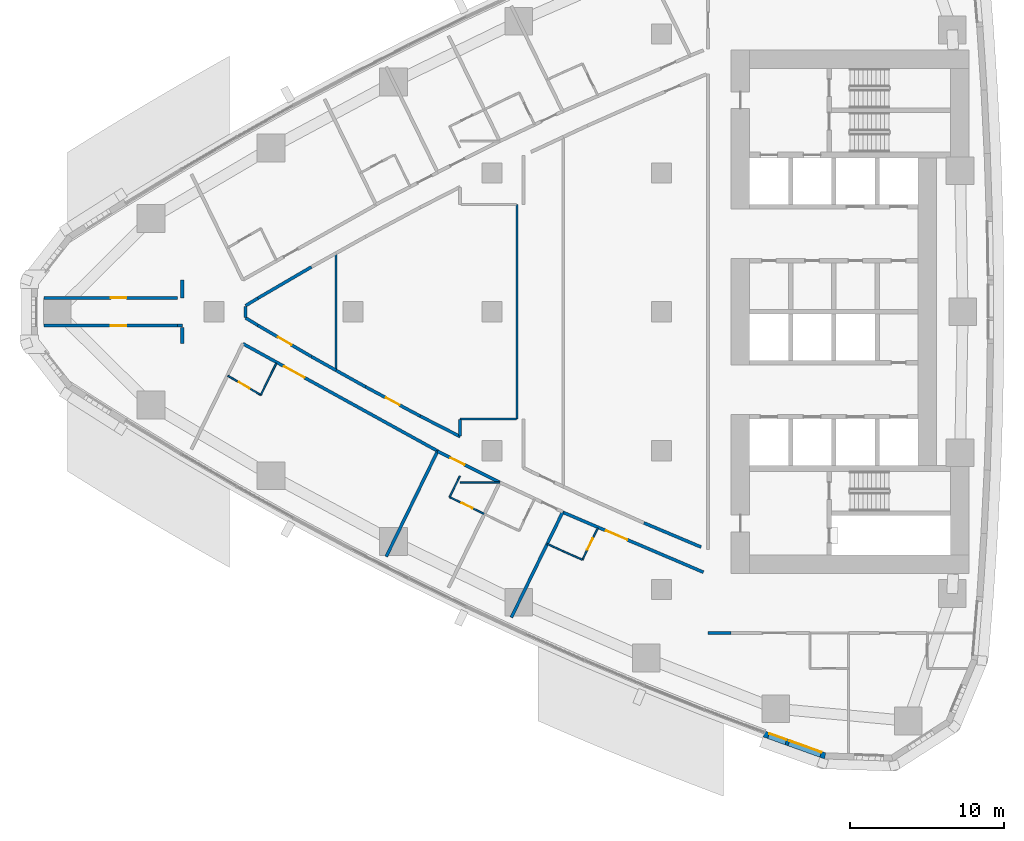
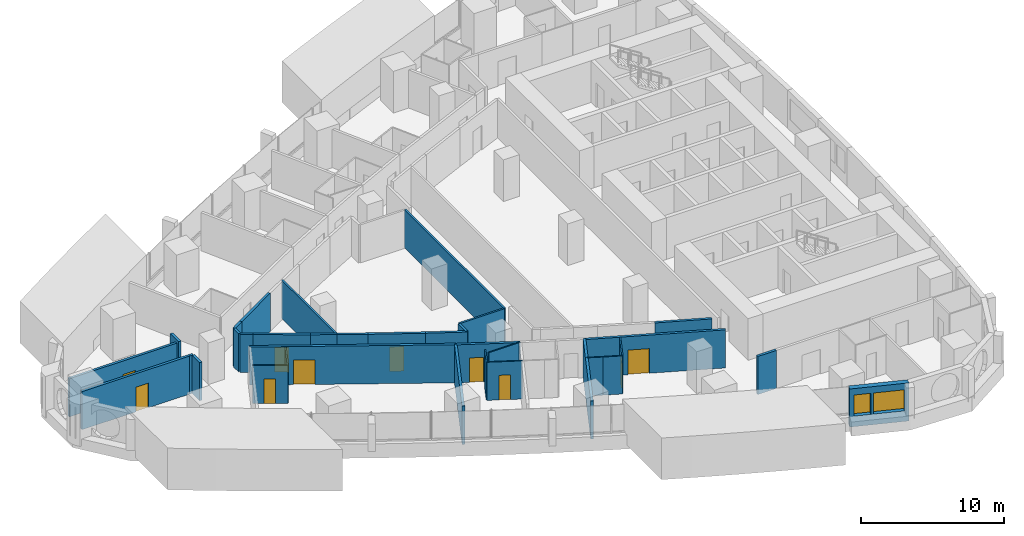
# One storey, part 9 of 19: 34 walls, 10 doors, 2 windows, 12 openings.
"""IFC4 building model written with IfcOpenShell, lengths in metres."""

from ifc_helpers import new_model, si_unit, direction, frame, frame_2d, origin, place, context, subcontext, project, spatial, polyline, rectangle, outline, extrude, material, layer, layer_set, type_object, element, fill, save


model = new_model("IFC4")

# Units and contexts
model_context = context("Model", 3, precision=1e-05, world=origin(), true_north=direction((0.0, 1.0)))
body_context = subcontext(model_context, "Body", "Model", "MODEL_VIEW")
ifc_project = project(units=[si_unit("LENGTHUNIT", "METRE"), si_unit("AREAUNIT", "SQUARE_METRE"), si_unit("VOLUMEUNIT", "CUBIC_METRE"), si_unit("PLANEANGLEUNIT", "RADIAN"), si_unit("MASSUNIT", "GRAM", prefix="KILO")], contexts=[model_context])

# Site, building, storey
site_placement = place(None, origin())
site = spatial("IfcSite", under=ifc_project, at=site_placement, CompositionType="ELEMENT")
building_placement = place(site_placement, origin())
building = spatial("IfcBuilding", under=site, at=building_placement, Name="Ostrand Prow Hotel Tower", CompositionType="ELEMENT")
storey_placement = place(building_placement, frame((0.0, 0.0, 39.60009765625)))
storey = spatial("IfcBuildingStorey", under=building, at=storey_placement, Name="L07", CompositionType="ELEMENT", Elevation=39.60009765625)

# Wall
ifc_material_1 = material(Name="Plasterboard partition")
ifc_layer_1 = layer(ifc_material_1, 0.10009765625)
ifc_layer_set_1 = layer_set([ifc_layer_1], Name="Plasterboard partition")
wall_type_1 = type_object("IfcWallType", Name="Partition 100 bathroom wall", PredefinedType="PARTITIONING", material=ifc_layer_set_1)
wall_1_placement = place(storey_placement, frame((20.035400390625, -3.338134765625, 0.0), z_axis=(0.0, 0.0, 1.0), x_axis=(-0.438122322582, -0.898915363344, 0.0)))
element("IfcWall", 1, at=wall_1_placement, inside=storey, type_object=wall_type_1, Name="BATHROOM WALL", PredefinedType="PARTITIONING", context=body_context, shape_type="SweptSolid", body=[
    extrude(rectangle(XDim=2.282958984375, YDim=0.10009765625, at=frame_2d((1.1416015625, 0.0))), origin(), (0.0, 0.0, 1.0), 3.25),
])

# Wall, opening, door
wall_2_placement = place(storey_placement, frame((19.034912109375, -5.390380859375, 0.0), z_axis=(0.0, 0.0, 1.0), x_axis=(-0.863707305865, 0.503993739837, 0.0)))
wall_2 = element("IfcWall", 2, at=wall_2_placement, inside=storey, type_object=wall_type_1, Name="BATHROOM WALL", PredefinedType="PARTITIONING", context=body_context, shape_type="SweptSolid", body=[
    extrude(rectangle(XDim=2.473876953125, YDim=0.10009765625, at=frame_2d((1.23681640625, 0.0))), origin(), (0.0, 0.0, 1.0), 3.25),
])
opening_1_placement = place(wall_2_placement, frame((0.85009765625, 0.0, 0.0)))
opening_1 = element("IfcOpeningElement", 3, at=opening_1_placement, cuts=wall_2, Name="Opening D2", PredefinedType="OPENING", context=body_context, shape_type="SweptSolid", body=[
    extrude(rectangle(XDim=0.800048828125, YDim=2.10009765625, at=frame_2d((0.39990234375, 1.050048828125))), frame((0.0, 0.06005859375, 0.0), z_axis=(0.0, -1.0, 0.0), x_axis=(1.0, 0.0, 0.0)), (0.0, 0.0, 1.0), 0.1201171875),
])
ifc_material_2 = material(Name="Timber door leaf", Category="wood")
door_type_1 = type_object("IfcDoorType", Name="Bathroom door 800", OperationType="SINGLE_SWING_LEFT", PredefinedType="DOOR", material=ifc_material_2)
door_1_placement = place(opening_1_placement, origin())
door_1 = element("IfcDoor", 4, at=door_1_placement, inside=storey, type_object=door_type_1, Name="DOOR", OperationType="SINGLE_SWING_LEFT", OverallHeight=2.10009765625, OverallWidth=0.800048828125, PredefinedType="DOOR", context=body_context, shape_type="SweptSolid", body=[
    extrude(rectangle(XDim=0.800048828125, YDim=2.10009765625, at=frame_2d((0.39990234375, 1.050048828125))), frame((0.0, 0.02490234375, 0.0), z_axis=(0.0, -1.0, 0.0), x_axis=(1.0, 0.0, 0.0)), (0.0, 0.0, 1.0), 0.050048828125),
])
fill(opening_1, door_1)

# Wall
wall_3_placement = place(storey_placement, frame((31.26708984375, -12.003173828125, 0.0), z_axis=(0.0, 0.0, 1.0), x_axis=(0.438136931394, 0.898908243008, 0.0)))
element("IfcWall", 5, at=wall_3_placement, inside=storey, type_object=wall_type_1, Name="BATHROOM WALL", PredefinedType="PARTITIONING", context=body_context, shape_type="SweptSolid", body=[
    extrude(rectangle(XDim=1.510009765625, YDim=0.10009765625, at=frame_2d((0.7548828125, 0.0))), origin(), (0.0, 0.0, 1.0), 3.25),
])

# Wall, opening, door
wall_4_placement = place(storey_placement, frame((33.51318359375, -13.10107421875, 0.0), z_axis=(0.0, 0.0, 1.0), x_axis=(-0.89845285455, 0.439070003702, 0.0)))
wall_4 = element("IfcWall", 6, at=wall_4_placement, inside=storey, type_object=wall_type_1, Name="BATHROOM WALL", PredefinedType="PARTITIONING", context=body_context, shape_type="SweptSolid", body=[
    extrude(rectangle(XDim=2.5, YDim=0.10009765625, at=frame_2d((1.25, 0.0))), origin(), (0.0, 0.0, 1.0), 3.25),
])
opening_2_placement = place(wall_4_placement, frame((0.85009765625, 0.0, 0.0)))
opening_2 = element("IfcOpeningElement", 7, at=opening_2_placement, cuts=wall_4, Name="Opening D2", PredefinedType="OPENING", context=body_context, shape_type="SweptSolid", body=[
    extrude(rectangle(XDim=0.800048828125, YDim=2.10009765625, at=frame_2d((0.39990234375, 1.050048828125))), frame((0.0, 0.06005859375, 0.0), z_axis=(0.0, -1.0, 0.0), x_axis=(1.0, 0.0, 0.0)), (0.0, 0.0, 1.0), 0.1201171875),
])
door_2_placement = place(opening_2_placement, origin())
door_2 = element("IfcDoor", 8, at=door_2_placement, inside=storey, type_object=door_type_1, Name="DOOR", OperationType="SINGLE_SWING_LEFT", OverallHeight=2.10009765625, OverallWidth=0.800048828125, PredefinedType="DOOR", context=body_context, shape_type="SweptSolid", body=[
    extrude(rectangle(XDim=0.800048828125, YDim=2.10009765625, at=frame_2d((0.39990234375, 1.050048828125))), frame((0.0, 0.02490234375, 0.0), z_axis=(0.0, -1.0, 0.0), x_axis=(1.0, 0.0, 0.0)), (0.0, 0.0, 1.0), 0.050048828125),
])
fill(opening_2, door_2)

wall_5_placement = place(storey_placement, frame((40.861328125, -14.0166015625, 0.0), z_axis=(0.0, 0.0, 1.0), x_axis=(-0.438233629628, -0.898861104878, 0.0)))
wall_5 = element("IfcWall", 9, at=wall_5_placement, inside=storey, type_object=wall_type_1, Name="BATHROOM WALL", PredefinedType="PARTITIONING", context=body_context, shape_type="SweptSolid", body=[
    extrude(rectangle(XDim=2.278564453125, YDim=0.10009765625, at=frame_2d((1.13916015625, 0.0))), origin(), (0.0, 0.0, 1.0), 3.25),
])
opening_3_placement = place(wall_5_placement, frame((0.75, 0.0, 0.0)))
opening_3 = element("IfcOpeningElement", 10, at=opening_3_placement, cuts=wall_5, Name="Opening D2", PredefinedType="OPENING", context=body_context, shape_type="SweptSolid", body=[
    extrude(rectangle(XDim=0.800048828125, YDim=2.10009765625, at=frame_2d((0.39990234375, 1.050048828125))), frame((0.0, 0.06005859375, 0.0), z_axis=(0.0, -1.0, 0.0), x_axis=(1.0, 0.0, 0.0)), (0.0, 0.0, 1.0), 0.1201171875),
])
door_3_placement = place(opening_3_placement, origin())
door_3 = element("IfcDoor", 11, at=door_3_placement, inside=storey, type_object=door_type_1, Name="DOOR", OperationType="SINGLE_SWING_LEFT", OverallHeight=2.10009765625, OverallWidth=0.800048828125, PredefinedType="DOOR", context=body_context, shape_type="SweptSolid", body=[
    extrude(rectangle(XDim=0.800048828125, YDim=2.10009765625, at=frame_2d((0.39990234375, 1.050048828125))), frame((0.0, 0.02490234375, 0.0), z_axis=(0.0, -1.0, 0.0), x_axis=(1.0, 0.0, 0.0)), (0.0, 0.0, 1.0), 0.050048828125),
])
fill(opening_3, door_3)

# Walls
wall_6_placement = place(storey_placement, frame((39.86279296875, -16.064697265625, 0.0), z_axis=(0.0, 0.0, 1.0), x_axis=(-0.913972512123, 0.405776104625, 0.0)))
element("IfcWall", 12, at=wall_6_placement, inside=storey, type_object=wall_type_1, Name="BATHROOM WALL", PredefinedType="PARTITIONING", context=body_context, shape_type="SweptSolid", body=[
    extrude(rectangle(XDim=1.37548828125, YDim=0.10009765625, at=frame_2d((0.687744140625, 0.0))), origin(), (0.0, 0.0, 1.0), 3.25),
])
wall_7_placement = place(storey_placement, frame((38.605712890625, -15.506591796875, 0.0), z_axis=(0.0, 0.0, 1.0), x_axis=(-0.90632717857, 0.422576673972, 0.0)))
element("IfcWall", 13, at=wall_7_placement, inside=storey, type_object=wall_type_1, Name="BATHROOM WALL", PredefinedType="PARTITIONING", context=body_context, shape_type="SweptSolid", body=[
    extrude(rectangle(XDim=1.12548828125, YDim=0.10009765625, at=frame_2d((0.562744140625, 0.0))), origin(), (0.0, 0.0, 1.0), 3.25),
])
wall_8_placement = place(storey_placement, frame((31.948974609375, -11.054931640625, 0.0), z_axis=(0.0, 0.0, 1.0), x_axis=(1.0, 0.0, 0.0)))
element("IfcWall", 14, at=wall_8_placement, inside=storey, type_object=wall_type_1, Name="BATHROOM WALL", PredefinedType="PARTITIONING", context=body_context, shape_type="SweptSolid", body=[
    extrude(rectangle(XDim=2.5615234375, YDim=0.10009765625, at=frame_2d((1.28076171875, 0.0))), origin(), (0.0, 0.0, 1.0), 3.25),
])
ifc_material_3 = material(Name="Plasterboard partition")
ifc_layer_2 = layer(ifc_material_3, 0.14990234375)
ifc_layer_set_2 = layer_set([ifc_layer_2], Name="Plasterboard partition")
wall_type_2 = type_object("IfcWallType", Name="Partition 150 room partition", PredefinedType="PARTITIONING", material=ifc_layer_set_2)
wall_9_placement = place(storey_placement, frame((23.90869140625, -3.7958984375, 0.0), z_axis=(0.0, 0.0, 1.0), x_axis=(0.0, 1.0, 0.0)))
element("IfcWall", 15, at=wall_9_placement, inside=storey, type_object=wall_type_2, Name="ROOM PARTITION", PredefinedType="PARTITIONING", context=body_context, shape_type="SweptSolid", body=[
    extrude(rectangle(XDim=7.591796875, YDim=0.14990234375, at=frame_2d((3.7958984375, 0.0))), origin(), (0.0, 0.0, 1.0), 3.25),
])
wall_10_placement = place(storey_placement, frame((35.626220703125, -6.949951171875, 0.0), z_axis=(0.0, 0.0, 1.0), x_axis=(0.0, 1.0, 0.0)))
element("IfcWall", 16, at=wall_10_placement, inside=storey, type_object=wall_type_2, Name="ROOM PARTITION", PredefinedType="PARTITIONING", context=body_context, shape_type="SweptSolid", body=[
    extrude(rectangle(XDim=13.89990234375, YDim=0.14990234375, at=frame_2d((6.949951171875, 0.0))), origin(), (0.0, 0.0, 1.0), 3.25),
])
wall_11_placement = place(storey_placement, frame((35.586181640625, -6.945068359375, 0.0), z_axis=(0.0, 0.0, 1.0), x_axis=(-0.999999997748, -6.7114094e-05, 0.0)))
element("IfcWall", 17, at=wall_11_placement, inside=storey, type_object=wall_type_2, Name="ROOM PARTITION", PredefinedType="PARTITIONING", context=body_context, shape_type="SweptSolid", body=[
    extrude(rectangle(XDim=3.6376953125, YDim=0.14990234375, at=frame_2d((1.81884765625, 0.0))), origin(), (0.0, 0.0, 1.0), 3.25),
])

# Wall, opening, door
ifc_material_4 = material(Name="Plasterboard partition")
ifc_layer_3 = layer(ifc_material_4, 0.199951171875)
ifc_layer_set_3 = layer_set([ifc_layer_3], Name="Plasterboard partition")
wall_type_3 = type_object("IfcWallType", Name="Partition 200 corridor wall", PredefinedType="PARTITIONING", material=ifc_layer_set_3)
wall_12_placement = place(storey_placement, frame((17.87353515625, -2.068115234375, 0.0), z_axis=(0.0, 0.0, 1.0), x_axis=(0.875757832755, -0.482750679305, 0.0)))
wall_12 = element("IfcWall", 18, at=wall_12_placement, inside=storey, type_object=wall_type_3, Name="CORRIDOR WALL", PredefinedType="PARTITIONING", context=body_context, shape_type="SweptSolid", body=[
    extrude(rectangle(XDim=14.404541015625, YDim=0.199951171875, at=frame_2d((7.2021484375, 0.0))), origin(), (0.0, 0.0, 1.0), 3.25),
])
opening_4_placement = place(wall_12_placement, frame((3.050048828125, 0.0, 0.0)))
opening_4 = element("IfcOpeningElement", 19, at=opening_4_placement, cuts=wall_12, Name="Opening D15", PredefinedType="OPENING", context=body_context, shape_type="SweptSolid", body=[
    extrude(rectangle(XDim=1.5, YDim=2.10009765625, at=frame_2d((0.75, 1.050048828125))), frame((0.0, 0.10986328125, 0.0), z_axis=(0.0, -1.0, 0.0), x_axis=(1.0, 0.0, 0.0)), (0.0, 0.0, 1.0), 0.219970703125),
])
ifc_material_5 = material(Name="Timber door leaf", Category="wood")
door_type_2 = type_object("IfcDoorType", Name="Double door 1500", OperationType="DOUBLE_DOOR_SINGLE_SWING", PredefinedType="DOOR", material=ifc_material_5)
door_4_placement = place(opening_4_placement, origin())
door_4 = element("IfcDoor", 20, at=door_4_placement, inside=storey, type_object=door_type_2, Name="DOOR", OperationType="DOUBLE_DOOR_SINGLE_SWING", OverallHeight=2.10009765625, OverallWidth=1.5, PredefinedType="DOOR", context=body_context, shape_type="SweptSolid", body=[
    extrude(rectangle(XDim=1.5, YDim=2.10009765625, at=frame_2d((0.75, 1.050048828125))), frame((0.0, 0.02490234375, 0.0), z_axis=(0.0, -1.0, 0.0), x_axis=(1.0, 0.0, 0.0)), (0.0, 0.0, 1.0), 0.050048828125),
])
fill(opening_4, door_4)

wall_13_placement = place(storey_placement, frame((30.479736328125, -9.039794921875, 0.0), z_axis=(0.0, 0.0, 1.0), x_axis=(0.894989913054, -0.446086376761, 0.0)))
wall_13 = element("IfcWall", 21, at=wall_13_placement, inside=storey, type_object=wall_type_3, Name="CORRIDOR WALL", PredefinedType="PARTITIONING", context=body_context, shape_type="SweptSolid", body=[
    extrude(rectangle(XDim=4.50634765625, YDim=0.199951171875, at=frame_2d((2.253173828125, 0.0))), origin(), (0.0, 0.0, 1.0), 3.25),
])
opening_5_placement = place(wall_13_placement, frame((0.949951171875, 0.0, 0.0)))
opening_5 = element("IfcOpeningElement", 22, at=opening_5_placement, cuts=wall_13, Name="Opening D1", PredefinedType="OPENING", context=body_context, shape_type="SweptSolid", body=[
    extrude(rectangle(XDim=1.0, YDim=2.10009765625, at=frame_2d((0.5, 1.050048828125))), frame((0.0, 0.10986328125, 0.0), z_axis=(0.0, -1.0, 0.0), x_axis=(1.0, 0.0, 0.0)), (0.0, 0.0, 1.0), 0.219970703125),
])
ifc_material_6 = material(Name="Timber door leaf", Category="wood")
door_type_3 = type_object("IfcDoorType", Name="Guest room door 1000", OperationType="SINGLE_SWING_LEFT", PredefinedType="DOOR", material=ifc_material_6)
door_5_placement = place(opening_5_placement, origin())
door_5 = element("IfcDoor", 23, at=door_5_placement, inside=storey, type_object=door_type_3, Name="DOOR", OperationType="SINGLE_SWING_LEFT", OverallHeight=2.10009765625, OverallWidth=1.0, PredefinedType="DOOR", context=body_context, shape_type="SweptSolid", body=[
    extrude(rectangle(XDim=1.0, YDim=2.10009765625, at=frame_2d((0.5, 1.050048828125))), frame((0.0, 0.02490234375, 0.0), z_axis=(0.0, -1.0, 0.0), x_axis=(1.0, 0.0, 0.0)), (0.0, 0.0, 1.0), 0.050048828125),
])
fill(opening_5, door_5)

wall_14_placement = place(storey_placement, frame((22.31201171875, -2.903076171875, 0.0), z_axis=(0.0, 0.0, 1.0), x_axis=(-0.863710538269, 0.503988200341, 0.0)))
wall_14 = element("IfcWall", 24, at=wall_14_placement, inside=storey, type_object=wall_type_3, Name="CORRIDOR WALL", PredefinedType="PARTITIONING", context=body_context, shape_type="SweptSolid", body=[
    extrude(rectangle(XDim=4.015869140625, YDim=0.199951171875, at=frame_2d((2.0078125, 0.0))), origin(), (0.0, 0.0, 1.0), 3.25),
])
opening_6_placement = place(wall_14_placement, frame((1.5078125, 0.0, 0.0)))
opening_6 = element("IfcOpeningElement", 25, at=opening_6_placement, cuts=wall_14, Name="Opening D1R", PredefinedType="OPENING", context=body_context, shape_type="SweptSolid", body=[
    extrude(rectangle(XDim=1.0, YDim=2.10009765625, at=frame_2d((0.5, 1.050048828125))), frame((0.0, 0.10986328125, 0.0), z_axis=(0.0, -1.0, 0.0), x_axis=(1.0, 0.0, 0.0)), (0.0, 0.0, 1.0), 0.219970703125),
])
ifc_material_7 = material(Name="Timber door leaf", Category="wood")
door_type_4 = type_object("IfcDoorType", Name="Guest room door 1000 right", OperationType="SINGLE_SWING_RIGHT", PredefinedType="DOOR", material=ifc_material_7)
door_6_placement = place(opening_6_placement, origin())
door_6 = element("IfcDoor", 26, at=door_6_placement, inside=storey, type_object=door_type_4, Name="DOOR", OperationType="SINGLE_SWING_RIGHT", OverallHeight=2.10009765625, OverallWidth=1.0, PredefinedType="DOOR", context=body_context, shape_type="SweptSolid", body=[
    extrude(rectangle(XDim=1.0, YDim=2.10009765625, at=frame_2d((0.5, 1.050048828125))), frame((0.0, 0.02490234375, 0.0), z_axis=(0.0, -1.0, 0.0), x_axis=(1.0, 0.0, 0.0)), (0.0, 0.0, 1.0), 0.050048828125),
])
fill(opening_6, door_6)

# Walls
for number, where, z_axis, x_axis, name in (
    (27, (18.843505859375, -0.879150390625, 0.0), (0.0, 0.0, 1.0), (-0.8542290073, 0.519896915828, 0.0), "CORRIDOR WALL"),
    (28, (18.050048828125, 0.396240234375, 0.0), (0.0, 0.0, 1.0), (0.8542290073, 0.519896915828, 0.0), "CORRIDOR WALL"),
):
    element("IfcWall", number, at=place(storey_placement, frame(where, z_axis=z_axis, x_axis=x_axis)), inside=storey, type_object=wall_type_3, Name=name, PredefinedType="PARTITIONING", context=body_context, shape_type="SweptSolid", body=[
        extrude(rectangle(XDim=0.928955078125, YDim=0.199951171875, at=frame_2d((0.46435546875, 0.0))), origin(), (0.0, 0.0, 1.0), 3.25),
    ])
wall_15_placement = place(storey_placement, frame((18.843505859375, 0.879150390625, 0.0), z_axis=(0.0, 0.0, 1.0), x_axis=(0.863710538269, 0.503988200341, 0.0)))
element("IfcWall", 29, at=wall_15_placement, inside=storey, type_object=wall_type_3, Name="CORRIDOR WALL", PredefinedType="PARTITIONING", context=body_context, shape_type="SweptSolid", body=[
    extrude(rectangle(XDim=4.015869140625, YDim=0.199951171875, at=frame_2d((2.0078125, 0.0))), origin(), (0.0, 0.0, 1.0), 3.25),
])
wall_16_placement = place(storey_placement, frame((23.90869140625, -3.7958984375, 0.0), z_axis=(0.0, 0.0, 1.0), x_axis=(-0.872813072418, 0.48805464921, 0.0)))
element("IfcWall", 30, at=wall_16_placement, inside=storey, type_object=wall_type_3, Name="CORRIDOR WALL", PredefinedType="PARTITIONING", context=body_context, shape_type="SweptSolid", body=[
    extrude(rectangle(XDim=1.829345703125, YDim=0.199951171875, at=frame_2d((0.91455078125, 0.0))), origin(), (0.0, 0.0, 1.0), 3.25),
])

# Wall, opening, door
wall_17_placement = place(storey_placement, frame((29.357421875, -6.758056640625, 0.0), z_axis=(0.0, 0.0, 1.0), x_axis=(-0.881655245922, 0.471894084874, 0.0)))
wall_17 = element("IfcWall", 31, at=wall_17_placement, inside=storey, type_object=wall_type_3, Name="CORRIDOR WALL", PredefinedType="PARTITIONING", context=body_context, shape_type="SweptSolid", body=[
    extrude(rectangle(XDim=4.015869140625, YDim=0.199951171875, at=frame_2d((2.0078125, 0.0))), origin(), (0.0, 0.0, 1.0), 3.25),
])
opening_7_placement = place(wall_17_placement, frame((1.5078125, 0.0, 0.0)))
opening_7 = element("IfcOpeningElement", 32, at=opening_7_placement, cuts=wall_17, Name="Opening D1", PredefinedType="OPENING", context=body_context, shape_type="SweptSolid", body=[
    extrude(rectangle(XDim=1.0, YDim=2.10009765625, at=frame_2d((0.5, 1.050048828125))), frame((0.0, 0.10986328125, 0.0), z_axis=(0.0, -1.0, 0.0), x_axis=(1.0, 0.0, 0.0)), (0.0, 0.0, 1.0), 0.219970703125),
])
door_7_placement = place(opening_7_placement, origin())
door_7 = element("IfcDoor", 33, at=door_7_placement, inside=storey, type_object=door_type_3, Name="DOOR", OperationType="SINGLE_SWING_LEFT", OverallHeight=2.10009765625, OverallWidth=1.0, PredefinedType="DOOR", context=body_context, shape_type="SweptSolid", body=[
    extrude(rectangle(XDim=1.0, YDim=2.10009765625, at=frame_2d((0.5, 1.050048828125))), frame((0.0, 0.02490234375, 0.0), z_axis=(0.0, -1.0, 0.0), x_axis=(1.0, 0.0, 0.0)), (0.0, 0.0, 1.0), 0.050048828125),
])
fill(opening_7, door_7)

# Walls
wall_18_placement = place(storey_placement, frame((31.949951171875, -8.084716796875, 0.0), z_axis=(0.0, 0.0, 1.0), x_axis=(-0.890213377055, 0.455543788579, 0.0)))
element("IfcWall", 34, at=wall_18_placement, inside=storey, type_object=wall_type_3, Name="CORRIDOR WALL", PredefinedType="PARTITIONING", context=body_context, shape_type="SweptSolid", body=[
    extrude(rectangle(XDim=2.912353515625, YDim=0.199951171875, at=frame_2d((1.4560546875, 0.0))), origin(), (0.0, 0.0, 1.0), 3.25),
])
wall_19_placement = place(storey_placement, frame((25.81689453125, -4.863037109375, 0.0), z_axis=(0.0, 0.0, 1.0), x_axis=(-0.872789592901, 0.48809663646, 0.0)))
element("IfcWall", 35, at=wall_19_placement, inside=storey, type_object=wall_type_3, Name="CORRIDOR WALL", PredefinedType="PARTITIONING", context=body_context, shape_type="SweptSolid", body=[
    extrude(rectangle(XDim=2.186279296875, YDim=0.199951171875, at=frame_2d((1.09326171875, 0.0))), origin(), (0.0, 0.0, 1.0), 3.25),
])
wall_20_placement = place(storey_placement, frame((47.549560546875, -15.239013671875, 0.0), z_axis=(0.0, 0.0, 1.0), x_axis=(-0.921269894054, 0.388923877269, 0.0)))
element("IfcWall", 36, at=wall_20_placement, inside=storey, type_object=wall_type_3, Name="CORRIDOR WALL", PredefinedType="PARTITIONING", context=body_context, shape_type="SweptSolid", body=[
    extrude(rectangle(XDim=4.015625, YDim=0.199951171875, at=frame_2d((2.0078125, 0.0))), origin(), (0.0, 0.0, 1.0), 3.25),
])

# Wall, opening, door
wall_21_placement = place(storey_placement, frame((4.977294921875, 0.89990234375, 0.0), z_axis=(0.0, 0.0, 1.0), x_axis=(1.0, 0.0, 0.0)))
wall_21 = element("IfcWall", 37, at=wall_21_placement, inside=storey, type_object=wall_type_3, Name="CORRIDOR WALL", PredefinedType="PARTITIONING", context=body_context, shape_type="SweptSolid", body=[
    extrude(rectangle(XDim=8.672607421875, YDim=0.199951171875, at=frame_2d((4.33642578125, 0.0))), origin(), (0.0, 0.0, 1.0), 3.25),
])
opening_8_placement = place(wall_21_placement, frame((4.344970703125, 0.0, 0.0)))
opening_8 = element("IfcOpeningElement", 38, at=opening_8_placement, cuts=wall_21, Name="Opening D1", PredefinedType="OPENING", context=body_context, shape_type="SweptSolid", body=[
    extrude(rectangle(XDim=1.0, YDim=2.10009765625, at=frame_2d((0.5, 1.050048828125))), frame((0.0, 0.10986328125, 0.0), z_axis=(0.0, -1.0, 0.0), x_axis=(1.0, 0.0, 0.0)), (0.0, 0.0, 1.0), 0.219970703125),
])
door_8_placement = place(opening_8_placement, origin())
door_8 = element("IfcDoor", 39, at=door_8_placement, inside=storey, type_object=door_type_3, Name="DOOR", OperationType="SINGLE_SWING_LEFT", OverallHeight=2.10009765625, OverallWidth=1.0, PredefinedType="DOOR", context=body_context, shape_type="SweptSolid", body=[
    extrude(rectangle(XDim=1.0, YDim=2.10009765625, at=frame_2d((0.5, 1.050048828125))), frame((0.0, 0.02490234375, 0.0), z_axis=(0.0, -1.0, 0.0), x_axis=(1.0, 0.0, 0.0)), (0.0, 0.0, 1.0), 0.050048828125),
])
fill(opening_8, door_8)

wall_22_placement = place(storey_placement, frame((4.977294921875, -0.89990234375, 0.0), z_axis=(0.0, 0.0, 1.0), x_axis=(1.0, 0.0, 0.0)))
wall_22 = element("IfcWall", 40, at=wall_22_placement, inside=storey, type_object=wall_type_3, Name="CORRIDOR WALL", PredefinedType="PARTITIONING", context=body_context, shape_type="SweptSolid", body=[
    extrude(rectangle(XDim=8.672607421875, YDim=0.199951171875, at=frame_2d((4.33642578125, 0.0))), origin(), (0.0, 0.0, 1.0), 3.25),
])
opening_9_placement = place(wall_22_placement, frame((4.344970703125, 0.0, 0.0)))
opening_9 = element("IfcOpeningElement", 41, at=opening_9_placement, cuts=wall_22, Name="Opening D1R", PredefinedType="OPENING", context=body_context, shape_type="SweptSolid", body=[
    extrude(rectangle(XDim=1.0, YDim=2.10009765625, at=frame_2d((0.5, 1.050048828125))), frame((0.0, 0.10986328125, 0.0), z_axis=(0.0, -1.0, 0.0), x_axis=(1.0, 0.0, 0.0)), (0.0, 0.0, 1.0), 0.219970703125),
])
door_9_placement = place(opening_9_placement, origin())
door_9 = element("IfcDoor", 42, at=door_9_placement, inside=storey, type_object=door_type_4, Name="DOOR", OperationType="SINGLE_SWING_RIGHT", OverallHeight=2.10009765625, OverallWidth=1.0, PredefinedType="DOOR", context=body_context, shape_type="SweptSolid", body=[
    extrude(rectangle(XDim=1.0, YDim=2.10009765625, at=frame_2d((0.5, 1.050048828125))), frame((0.0, 0.02490234375, 0.0), z_axis=(0.0, -1.0, 0.0), x_axis=(1.0, 0.0, 0.0)), (0.0, 0.0, 1.0), 0.050048828125),
])
fill(opening_9, door_9)

wall_23_placement = place(storey_placement, frame((38.584716796875, -12.981201171875, 0.0), z_axis=(0.0, 0.0, 1.0), x_axis=(0.919847962482, -0.392275064103, 0.0)))
wall_23 = element("IfcWall", 43, at=wall_23_placement, inside=storey, type_object=wall_type_3, Name="CORRIDOR WALL", PredefinedType="PARTITIONING", context=body_context, shape_type="SweptSolid", body=[
    extrude(rectangle(XDim=9.913818359375, YDim=0.199951171875, at=frame_2d((4.95703125, 0.0))), origin(), (0.0, 0.0, 1.0), 3.25),
])
opening_10_placement = place(wall_23_placement, frame((3.050048828125, 0.0, 0.0)))
opening_10 = element("IfcOpeningElement", 44, at=opening_10_placement, cuts=wall_23, Name="Opening D15", PredefinedType="OPENING", context=body_context, shape_type="SweptSolid", body=[
    extrude(rectangle(XDim=1.5, YDim=2.10009765625, at=frame_2d((0.75, 1.050048828125))), frame((0.0, 0.10986328125, 0.0), z_axis=(0.0, -1.0, 0.0), x_axis=(1.0, 0.0, 0.0)), (0.0, 0.0, 1.0), 0.219970703125),
])
door_10_placement = place(opening_10_placement, origin())
door_10 = element("IfcDoor", 45, at=door_10_placement, inside=storey, type_object=door_type_2, Name="DOOR", OperationType="DOUBLE_DOOR_SINGLE_SWING", OverallHeight=2.10009765625, OverallWidth=1.5, PredefinedType="DOOR", context=body_context, shape_type="SweptSolid", body=[
    extrude(rectangle(XDim=1.5, YDim=2.10009765625, at=frame_2d((0.75, 1.050048828125))), frame((0.0, 0.02490234375, 0.0), z_axis=(0.0, -1.0, 0.0), x_axis=(1.0, 0.0, 0.0)), (0.0, 0.0, 1.0), 0.050048828125),
])
fill(opening_10, door_10)

# Walls
wall_24_placement = place(storey_placement, frame((18.054931640625, -0.356689453125, 0.0), z_axis=(0.0, 0.0, 1.0), x_axis=(0.0, 1.0, 0.0)))
element("IfcWall", 46, at=wall_24_placement, inside=storey, type_object=wall_type_3, Name="CORRIDOR WALL", PredefinedType="PARTITIONING", context=body_context, shape_type="SweptSolid", body=[
    extrude(rectangle(XDim=0.71337890625, YDim=0.199951171875, at=frame_2d((0.356689453125, 0.0))), origin(), (0.0, 0.0, 1.0), 3.25),
])
wall_25_placement = place(storey_placement, frame((31.948486328125, -6.985107421875, 0.0), z_axis=(0.0, 0.0, 1.0), x_axis=(-0.003248242724, -0.999994724446, 0.0)))
element("IfcWall", 47, at=wall_25_placement, inside=storey, type_object=wall_type_3, Name="CORRIDOR WALL", PredefinedType="PARTITIONING", context=body_context, shape_type="SweptSolid", body=[
    extrude(rectangle(XDim=1.05224609375, YDim=0.199951171875, at=frame_2d((0.526123046875, 0.0))), origin(), (0.0, 0.0, 1.0), 3.25),
])
wall_26_placement = place(storey_placement, frame((13.945556640625, 2.052490234375, 0.0), z_axis=(0.0, 0.0, 1.0), x_axis=(-0.000423818568, -0.999999910189, 0.0)))
element("IfcWall", 48, at=wall_26_placement, inside=storey, type_object=wall_type_3, Name="CORRIDOR WALL", PredefinedType="PARTITIONING", context=body_context, shape_type="SweptSolid", body=[
    extrude(rectangle(XDim=1.152099609375, YDim=0.199951171875, at=frame_2d((0.576171875, 0.0))), origin(), (0.0, 0.0, 1.0), 3.25),
])
wall_27_placement = place(storey_placement, frame((13.64990234375, -0.89990234375, 0.0), z_axis=(0.0, 0.0, 1.0), x_axis=(0.99999876, -0.001574801197, 0.0)))
element("IfcWall", 49, at=wall_27_placement, inside=storey, type_object=wall_type_3, Name="CORRIDOR WALL", PredefinedType="PARTITIONING", context=body_context, shape_type="SweptSolid", body=[
    extrude(rectangle(XDim=0.31005859375, YDim=0.199951171875, at=frame_2d((0.155029296875, 0.0))), origin(), (0.0, 0.0, 1.0), 3.25),
])
wall_28_placement = place(storey_placement, frame((13.945068359375, -1.0205078125, 0.0), z_axis=(0.0, 0.0, 1.0), x_axis=(0.000473148752, -0.999999888065, 0.0)))
element("IfcWall", 50, at=wall_28_placement, inside=storey, type_object=wall_type_3, Name="CORRIDOR WALL", PredefinedType="PARTITIONING", context=body_context, shape_type="SweptSolid", body=[
    extrude(rectangle(XDim=1.031982421875, YDim=0.199951171875, at=frame_2d((0.51611328125, 0.0))), origin(), (0.0, 0.0, 1.0), 3.25),
])
wall_29_placement = place(storey_placement, frame((47.995361328125, -20.802001953125, 0.0), z_axis=(0.0, 0.0, 1.0), x_axis=(0.999998104399, -0.001947099992, 0.0)))
element("IfcWall", 51, at=wall_29_placement, inside=storey, type_object=wall_type_3, Name="CORRIDOR WALL", PredefinedType="PARTITIONING", context=body_context, shape_type="SweptSolid", body=[
    extrude(rectangle(XDim=1.504638671875, YDim=0.199951171875, at=frame_2d((0.75244140625, 0.0))), origin(), (0.0, 0.0, 1.0), 3.25),
])
ifc_material_8 = material(Name="Plasterboard partition")
ifc_layer_4 = layer(ifc_material_8, 0.199951171875)
ifc_layer_set_4 = layer_set([ifc_layer_4], Name="Plasterboard partition")
wall_type_4 = type_object("IfcWallType", Name="Partition 200 key partition", PredefinedType="PARTITIONING", material=ifc_layer_set_4)
wall_30_placement = place(storey_placement, frame((27.157470703125, -15.8544921875, 0.0), z_axis=(0.0, 0.0, 1.0), x_axis=(0.43822365664, 0.898865967072, 0.0)))
element("IfcWall", 52, at=wall_30_placement, inside=storey, type_object=wall_type_4, Name="KEY PARTITION", PredefinedType="PARTITIONING", context=body_context, shape_type="SweptSolid", body=[
    extrude(rectangle(XDim=7.601318359375, YDim=0.199951171875, at=frame_2d((3.80078125, 0.0))), origin(), (0.0, 0.0, 1.0), 3.25),
])
wall_31_placement = place(storey_placement, frame((35.2626953125, -19.7958984375, 0.0), z_axis=(0.0, 0.0, 1.0), x_axis=(0.438197705697, 0.898878618459, 0.0)))
element("IfcWall", 53, at=wall_31_placement, inside=storey, type_object=wall_type_4, Name="KEY PARTITION", PredefinedType="PARTITIONING", context=body_context, shape_type="SweptSolid", body=[
    extrude(rectangle(XDim=7.60107421875, YDim=0.199951171875, at=frame_2d((3.800537109375, 0.0))), origin(), (0.0, 0.0, 1.0), 3.25),
])

# Wall, openings, windows
ifc_material_9 = material(Name="Precast concrete C40/50", Category="concrete")
ifc_layer_5 = layer(ifc_material_9, 0.39990234375)
ifc_layer_set_5 = layer_set([ifc_layer_5], Name="Precast concrete C40/50")
wall_type_5 = type_object("IfcWallType", Name="Stone-faced precast wall 400 mm", PredefinedType="NOTDEFINED", material=ifc_layer_set_5)
wall_32_placement = place(storey_placement, frame((51.639892578125, -27.3515625, 0.0), z_axis=(0.0, 0.0, 1.0), x_axis=(0.941339752885, -0.337460323057, 0.0)))
wall_32 = element("IfcWall", 54, at=wall_32_placement, inside=storey, type_object=wall_type_5, Name="Stone-faced wall back 1", PredefinedType="NOTDEFINED", context=body_context, shape_type="SweptSolid", body=[
    extrude(outline(polyline([(0.0, -0.199951171875), (4.2275390625, -0.199951171875), (4.16455078125, 0.199951171875), (0.0, 0.199951171875), (0.0, -0.199951171875)])), origin(), (0.0, 0.0, 1.0), 3.25),
])
opening_11_placement = place(wall_32_placement, frame((0.298095703125, 0.0, 0.89990234375)))
opening_11 = element("IfcOpeningElement", 55, at=opening_11_placement, cuts=wall_32, Name="Opening WS4", PredefinedType="OPENING", context=body_context, shape_type="SweptSolid", body=[
    extrude(rectangle(XDim=1.199951171875, YDim=1.800048828125, at=frame_2d((0.60009765625, 0.89990234375))), frame((0.0, 0.2099609375, 0.0), z_axis=(0.0, -1.0, 0.0), x_axis=(1.0, 0.0, 0.0)), (0.0, 0.0, 1.0), 0.419921875),
])
opening_12_placement = place(wall_32_placement, frame((1.697998046875, 0.0, 0.89990234375)))
opening_12 = element("IfcOpeningElement", 56, at=opening_12_placement, cuts=wall_32, Name="Opening WS5-22", PredefinedType="OPENING", context=body_context, shape_type="SweptSolid", body=[
    extrude(rectangle(XDim=2.199951171875, YDim=1.800048828125, at=frame_2d((1.10009765625, 0.89990234375))), frame((0.0, 0.2099609375, 0.0), z_axis=(0.0, -1.0, 0.0), x_axis=(1.0, 0.0, 0.0)), (0.0, 0.0, 1.0), 0.419921875),
])
ifc_material_10 = material(Name="Insulated glass in bronze frame", Category="glass")
window_type_1 = type_object("IfcWindowType", Name="Fixed strip window 2200x1800", PartitioningType="SINGLE_PANEL", PredefinedType="WINDOW", material=ifc_material_10)
window_1_placement = place(opening_12_placement, origin())
window_1 = element("IfcWindow", 57, at=window_1_placement, inside=storey, type_object=window_type_1, Name="Window back 1.2", OverallHeight=1.800048828125, OverallWidth=2.199951171875, PartitioningType="SINGLE_PANEL", PredefinedType="WINDOW", context=body_context, shape_type="SweptSolid", body=[
    extrude(rectangle(XDim=2.199951171875, YDim=1.800048828125, at=frame_2d((1.10009765625, 0.89990234375))), frame((0.0, 0.169921875, 0.0), z_axis=(0.0, -1.0, 0.0), x_axis=(1.0, 0.0, 0.0)), (0.0, 0.0, 1.0), 0.06005859375),
])
fill(opening_12, window_1)
ifc_material_11 = material(Name="Insulated glass in bronze frame", Category="glass")
window_type_2 = type_object("IfcWindowType", Name="Operable strip panel 1200x1800", PartitioningType="SINGLE_PANEL", PredefinedType="WINDOW", material=ifc_material_11)
window_2_placement = place(opening_11_placement, origin())
window_2 = element("IfcWindow", 58, at=window_2_placement, inside=storey, type_object=window_type_2, Name="Window back 1.1", OverallHeight=1.800048828125, OverallWidth=1.199951171875, PartitioningType="SINGLE_PANEL", PredefinedType="WINDOW", context=body_context, shape_type="SweptSolid", body=[
    extrude(rectangle(XDim=1.199951171875, YDim=1.800048828125, at=frame_2d((0.60009765625, 0.89990234375))), frame((0.0, 0.169921875, 0.0), z_axis=(0.0, -1.0, 0.0), x_axis=(1.0, 0.0, 0.0)), (0.0, 0.0, 1.0), 0.06005859375),
])
fill(opening_11, window_2)

save(model, "model.ifc")
